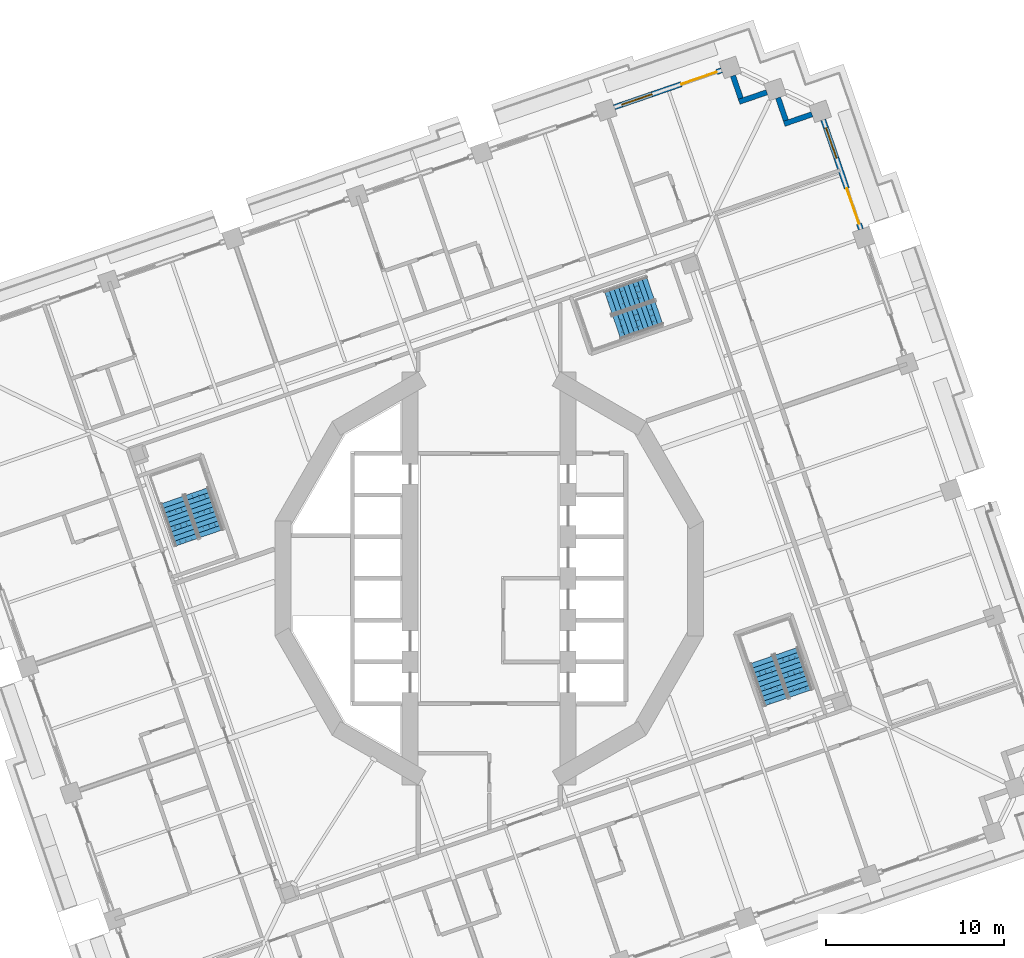
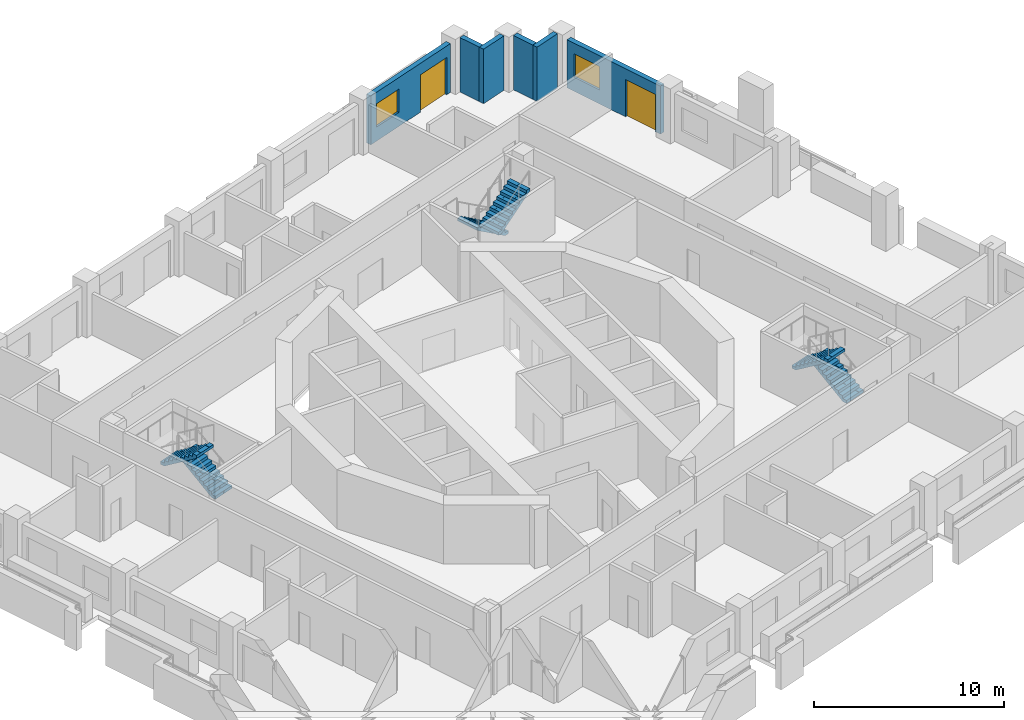
# One storey, part 10 of 19: 6 stair flights, 6 walls, 2 doors, 2 windows, 4 openings, 3 elements without a shape of their own.
"""IFC4 building model written with IfcOpenShell, lengths in metres."""

from ifc_helpers import new_model, si_unit, direction, frame, frame_2d, origin, place, context, subcontext, project, spatial, polyline, rectangle, outline, extrude, material, layer, layer_set, type_object, element, fill, aggregate, save


model = new_model("IFC4")

# Units and contexts
model_context = context("Model", 3, precision=1e-05, world=origin(), true_north=direction((0.0, 1.0)))
body_context = subcontext(model_context, "Body", "Model", "MODEL_VIEW")
ifc_project = project(units=[si_unit("LENGTHUNIT", "METRE"), si_unit("AREAUNIT", "SQUARE_METRE"), si_unit("VOLUMEUNIT", "CUBIC_METRE"), si_unit("PLANEANGLEUNIT", "RADIAN"), si_unit("MASSUNIT", "GRAM", prefix="KILO")], contexts=[model_context])

# Site, building, storey
site_placement = place(None, origin())
site = spatial("IfcSite", under=ifc_project, at=site_placement, CompositionType="ELEMENT")
building_placement = place(site_placement, origin())
building = spatial("IfcBuilding", under=site, at=building_placement, Name="Cantera Rosa Tower", CompositionType="ELEMENT")
storey_placement = place(building_placement, frame((0.0, 0.0, 111.699951171875)))
storey = spatial("IfcBuildingStorey", under=building, at=storey_placement, Name="L22", CompositionType="ELEMENT", Elevation=111.699951171875)

# Walls
ifc_material_1 = material(Name="Hollow clay masonry with cantera stone cladding", Category="masonry")
ifc_layer_1 = layer(ifc_material_1, 0.300048828125)
ifc_layer_set_1 = layer_set([ifc_layer_1], Name="EW-LOGGIA 300")
wall_type_1 = type_object("IfcWallType", Name="EW-LOGGIA 300", PredefinedType="SOLIDWALL", material=ifc_layer_set_1)
wall_1_placement = place(storey_placement, frame((18.17919921875, 26.142822265625, 0.0), z_axis=(0.0, 0.0, 1.0), x_axis=(-0.945530119553, -0.32553462645, 0.0)))
element("IfcWall", 1, at=wall_1_placement, inside=storey, type_object=wall_type_1, Name="EN-L22-W06a", PredefinedType="SOLIDWALL", context=body_context, shape_type="SweptSolid", body=[
    extrude(rectangle(XDim=1.64990234375, YDim=0.300048828125, at=frame_2d((0.824951171875, 0.0))), origin(), (0.0, 0.0, 1.0), 3.5),
])
wall_2_placement = place(storey_placement, frame((16.7119140625, 25.79638671875, 0.0), z_axis=(0.0, 0.0, 1.0), x_axis=(-0.325544748006, 0.945526634763, 0.0)))
element("IfcWall", 2, at=wall_2_placement, inside=storey, type_object=wall_type_1, Name="EN-L22-W06b", PredefinedType="SOLIDWALL", context=body_context, shape_type="SweptSolid", body=[
    extrude(rectangle(XDim=1.349853515625, YDim=0.300048828125, at=frame_2d((0.6748046875, 0.0))), origin(), (0.0, 0.0, 1.0), 3.5),
])
wall_3_placement = place(storey_placement, frame((15.636962890625, 27.3828125, 0.0), z_axis=(0.0, 0.0, 1.0), x_axis=(-0.945484566827, -0.325666906351, 0.0)))
element("IfcWall", 3, at=wall_3_placement, inside=storey, type_object=wall_type_1, Name="EN-L22-W07a", PredefinedType="SOLIDWALL", context=body_context, shape_type="SweptSolid", body=[
    extrude(rectangle(XDim=1.64990234375, YDim=0.300048828125, at=frame_2d((0.824951171875, 0.0))), origin(), (0.0, 0.0, 1.0), 3.5),
])
wall_4_placement = place(storey_placement, frame((14.169921875, 27.0361328125, 0.0), z_axis=(0.0, 0.0, 1.0), x_axis=(-0.325650742363, 0.945490134268, 0.0)))
element("IfcWall", 4, at=wall_4_placement, inside=storey, type_object=wall_type_1, Name="EN-L22-W07b", PredefinedType="SOLIDWALL", context=body_context, shape_type="SweptSolid", body=[
    extrude(rectangle(XDim=1.35009765625, YDim=0.300048828125, at=frame_2d((0.675048828125, 0.0))), origin(), (0.0, 0.0, 1.0), 3.5),
])

# Wall, openings, window, door
ifc_material_2 = material(Name="Hollow clay masonry with cantera stone cladding", Category="masonry")
ifc_layer_2 = layer(ifc_material_2, 0.300048828125)
ifc_layer_set_2 = layer_set([ifc_layer_2], Name="EW-LOGGIA 300 H3090")
wall_type_2 = type_object("IfcWallType", Name="EW-LOGGIA 300 H3090", PredefinedType="SOLIDWALL", material=ifc_layer_set_2)
wall_5_placement = place(storey_placement, frame((20.9375, 19.668212890625, 0.0), z_axis=(0.0, 0.0, 1.0), x_axis=(-0.325592517631, 0.945510186335, 0.0)))
wall_5 = element("IfcWall", 5, at=wall_5_placement, inside=storey, type_object=wall_type_2, Name="EN-L22-W05", PredefinedType="SOLIDWALL", context=body_context, shape_type="SweptSolid", body=[
    extrude(rectangle(XDim=6.519775390625, YDim=0.300048828125, at=frame_2d((3.259765625, 0.0))), origin(), (0.0, 0.0, 1.0), 3.090087890625),
])
opening_1_placement = place(wall_5_placement, frame((0.330078125, 0.0, 0.0)))
opening_1 = element("IfcOpeningElement", 6, at=opening_1_placement, cuts=wall_5, Name="Opening L22-TD05", PredefinedType="OPENING", context=body_context, shape_type="SweptSolid", body=[
    extrude(rectangle(XDim=2.10009765625, YDim=2.39990234375, at=frame_2d((1.050048828125, 1.199951171875))), frame((0.0, 0.159912109375, 0.0), z_axis=(0.0, -1.0, 0.0), x_axis=(1.0, 0.0, 0.0)), (0.0, 0.0, 1.0), 0.320068359375),
])
opening_2_placement = place(wall_5_placement, frame((4.239990234375, 0.0, 0.89990234375)))
opening_2 = element("IfcOpeningElement", 7, at=opening_2_placement, cuts=wall_5, Name="Opening L22-W06", PredefinedType="OPENING", context=body_context, shape_type="SweptSolid", body=[
    extrude(rectangle(XDim=1.800048828125, YDim=1.5, at=frame_2d((0.89990234375, 0.75))), frame((0.0, 0.159912109375, 0.0), z_axis=(0.0, -1.0, 0.0), x_axis=(1.0, 0.0, 0.0)), (0.0, 0.0, 1.0), 0.320068359375),
])
ifc_material_3 = material(Name="Aluminium frame with clear glass", Category="aluminium")
window_type = type_object("IfcWindowType", Name="Hotel room window 1800x1500", PartitioningType="DOUBLE_PANEL_VERTICAL", PredefinedType="WINDOW", material=ifc_material_3)
window_1_placement = place(opening_2_placement, origin())
window_1 = element("IfcWindow", 8, at=window_1_placement, inside=storey, type_object=window_type, Name="WINDOW L22-W06", OverallHeight=1.5, OverallWidth=1.800048828125, PartitioningType="SINGLE_PANEL", PredefinedType="WINDOW", context=body_context, shape_type="SweptSolid", body=[
    extrude(rectangle(XDim=1.800048828125, YDim=1.5, at=frame_2d((0.89990234375, 0.75))), frame((0.0, 0.030029296875, 0.0), z_axis=(0.0, -1.0, 0.0), x_axis=(1.0, 0.0, 0.0)), (0.0, 0.0, 1.0), 0.06005859375),
])
fill(opening_2, window_1)
ifc_material_4 = material(Name="Aluminium frame with clear glass", Category="aluminium")
door_type = type_object("IfcDoorType", Name="TD-H 2100x2400", OperationType="NOTDEFINED", PredefinedType="DOOR", material=ifc_material_4)
door_1_placement = place(opening_1_placement, origin())
door_1 = element("IfcDoor", 9, at=door_1_placement, inside=storey, type_object=door_type, Name="LOGGIA DOOR L22-TD05", OperationType="SLIDING_TO_LEFT", OverallHeight=2.39990234375, OverallWidth=2.10009765625, PredefinedType="DOOR", context=body_context, shape_type="SweptSolid", body=[
    extrude(rectangle(XDim=2.10009765625, YDim=2.39990234375, at=frame_2d((1.050048828125, 1.199951171875))), frame((0.0, 0.02490234375, 0.0), z_axis=(0.0, -1.0, 0.0), x_axis=(1.0, 0.0, 0.0)), (0.0, 0.0, 1.0), 0.050048828125),
])
fill(opening_1, door_1)

ifc_material_5 = material(Name="Hollow clay masonry with cantera stone cladding", Category="masonry")
ifc_layer_3 = layer(ifc_material_5, 0.300048828125)
ifc_layer_set_3 = layer_set([ifc_layer_3], Name="EW-LOGGIA 300 H3140")
wall_type_3 = type_object("IfcWallType", Name="EW-LOGGIA 300 H3140", PredefinedType="SOLIDWALL", material=ifc_layer_set_3)
wall_6_placement = place(storey_placement, frame((13.0947265625, 28.62255859375, 0.0), z_axis=(0.0, 0.0, 1.0), x_axis=(-0.945524496524, -0.325550958337, 0.0)))
wall_6 = element("IfcWall", 10, at=wall_6_placement, inside=storey, type_object=wall_type_3, Name="EN-L22-W08", PredefinedType="SOLIDWALL", context=body_context, shape_type="SweptSolid", body=[
    extrude(rectangle(XDim=6.39990234375, YDim=0.300048828125, at=frame_2d((3.199951171875, 0.0))), origin(), (0.0, 0.0, 1.0), 3.14013671875),
])
opening_3_placement = place(wall_6_placement, frame((0.300048828125, 0.0, 0.0)))
opening_3 = element("IfcOpeningElement", 11, at=opening_3_placement, cuts=wall_6, Name="Opening L22-TD07", PredefinedType="OPENING", context=body_context, shape_type="SweptSolid", body=[
    extrude(rectangle(XDim=2.10009765625, YDim=2.39990234375, at=frame_2d((1.050048828125, 1.199951171875))), frame((0.0, 0.159912109375, 0.0), z_axis=(0.0, -1.0, 0.0), x_axis=(1.0, 0.0, 0.0)), (0.0, 0.0, 1.0), 0.320068359375),
])
opening_4_placement = place(wall_6_placement, frame((4.14990234375, 0.0, 0.89990234375)))
opening_4 = element("IfcOpeningElement", 12, at=opening_4_placement, cuts=wall_6, Name="Opening L22-W08", PredefinedType="OPENING", context=body_context, shape_type="SweptSolid", body=[
    extrude(rectangle(XDim=1.800048828125, YDim=1.5, at=frame_2d((0.89990234375, 0.75))), frame((0.0, 0.159912109375, 0.0), z_axis=(0.0, -1.0, 0.0), x_axis=(1.0, 0.0, 0.0)), (0.0, 0.0, 1.0), 0.320068359375),
])
window_2_placement = place(opening_4_placement, origin())
window_2 = element("IfcWindow", 13, at=window_2_placement, inside=storey, type_object=window_type, Name="WINDOW L22-W08", OverallHeight=1.5, OverallWidth=1.800048828125, PartitioningType="SINGLE_PANEL", PredefinedType="WINDOW", context=body_context, shape_type="SweptSolid", body=[
    extrude(rectangle(XDim=1.800048828125, YDim=1.5, at=frame_2d((0.89990234375, 0.75))), frame((0.0, 0.030029296875, 0.0), z_axis=(0.0, -1.0, 0.0), x_axis=(1.0, 0.0, 0.0)), (0.0, 0.0, 1.0), 0.06005859375),
])
fill(opening_4, window_2)
door_2_placement = place(opening_3_placement, origin())
door_2 = element("IfcDoor", 14, at=door_2_placement, inside=storey, type_object=door_type, Name="LOGGIA DOOR L22-TD07", OperationType="SLIDING_TO_LEFT", OverallHeight=2.39990234375, OverallWidth=2.10009765625, PredefinedType="DOOR", context=body_context, shape_type="SweptSolid", body=[
    extrude(rectangle(XDim=2.10009765625, YDim=2.39990234375, at=frame_2d((1.050048828125, 1.199951171875))), frame((0.0, 0.02490234375, 0.0), z_axis=(0.0, -1.0, 0.0), x_axis=(1.0, 0.0, 0.0)), (0.0, 0.0, 1.0), 0.050048828125),
])
fill(opening_3, door_2)

# Stair, stair flights
ifc_material_6 = material(Name="Concrete C35/45", Category="concrete")
stair_type = type_object("IfcStairType", Name="EXIT STAIR 1350 DOGLEG", PredefinedType="HALF_TURN_STAIR", material=ifc_material_6)
stair_1_placement = place(storey_placement, origin())
stair_1 = element("IfcStair", 15, at=stair_1_placement, inside=storey, type_object=stair_type, Name="L22 ST-21", PredefinedType="HALF_TURN_STAIR")
ifc_material_7 = material(Name="Concrete C35/45", Category="concrete")
stair_flight_type = type_object("IfcStairFlightType", Name="STAIR FLIGHT 1350 R20x190", PredefinedType="STRAIGHT", material=ifc_material_7)
stair_flight_1_placement = place(storey_placement, frame((9.07958984375, 16.364990234375, 0.0), z_axis=(0.0, 0.0, 1.0), x_axis=(-0.945518575599, -0.325568154457, 0.0)))
stair_flight_1 = element("IfcStairFlight", 16, at=stair_flight_1_placement, type_object=stair_flight_type, Name="ST-21 flight 1", NumberOfRisers=10, NumberOfTreads=9, PredefinedType="STRAIGHT", RiserHeight=0.19, TreadLength=0.28, context=body_context, shape_type="SweptSolid", body=[
    extrude(outline(polyline([(0.0, 0.0), (0.0, 0.18994140625), (0.280029296875, 0.18994140625), (0.280029296875, 0.3798828125), (0.56005859375, 0.3798828125), (0.56005859375, 0.570068359375), (0.840087890625, 0.570068359375), (0.840087890625, 0.760009765625), (1.1201171875, 0.760009765625), (1.1201171875, 0.949951171875), (1.39990234375, 0.949951171875), (1.39990234375, 1.139892578125), (1.679931640625, 1.139892578125), (1.679931640625, 1.330078125), (1.9599609375, 1.330078125), (1.9599609375, 1.52001953125), (2.239990234375, 1.52001953125), (2.239990234375, 1.7099609375), (2.52001953125, 1.7099609375), (2.52001953125, 1.89990234375), (2.52001953125, 1.52880859375), (0.266845703125, 0.0), (0.0, 0.0)])), frame((0.0, 0.675048828125, 0.0), z_axis=(0.0, -1.0, 0.0), x_axis=(1.0, 0.0, 0.0)), (0.0, 0.0, 1.0), 0.3359375),
    extrude(outline(polyline([(0.0, 0.0), (0.0, 0.18994140625), (0.280029296875, 0.18994140625), (0.280029296875, 0.3798828125), (0.56005859375, 0.3798828125), (0.56005859375, 0.570068359375), (0.840087890625, 0.570068359375), (0.840087890625, 0.760009765625), (1.1201171875, 0.760009765625), (1.1201171875, 0.949951171875), (1.39990234375, 0.949951171875), (1.39990234375, 1.139892578125), (1.679931640625, 1.139892578125), (1.679931640625, 1.330078125), (1.9599609375, 1.330078125), (1.9599609375, 1.52001953125), (2.239990234375, 1.52001953125), (2.239990234375, 1.7099609375), (2.52001953125, 1.7099609375), (2.52001953125, 1.89990234375), (2.52001953125, 1.52880859375), (0.266845703125, 0.0), (0.0, 0.0)])), frame((0.0, 0.337158203125, 0.0), z_axis=(0.0, -1.0, 0.0), x_axis=(1.0, 0.0, 0.0)), (0.0, 0.0, 1.0), 0.3359375),
    extrude(outline(polyline([(0.0, 0.0), (0.0, 0.18994140625), (0.280029296875, 0.18994140625), (0.280029296875, 0.3798828125), (0.56005859375, 0.3798828125), (0.56005859375, 0.570068359375), (0.840087890625, 0.570068359375), (0.840087890625, 0.760009765625), (1.1201171875, 0.760009765625), (1.1201171875, 0.949951171875), (1.39990234375, 0.949951171875), (1.39990234375, 1.139892578125), (1.679931640625, 1.139892578125), (1.679931640625, 1.330078125), (1.9599609375, 1.330078125), (1.9599609375, 1.52001953125), (2.239990234375, 1.52001953125), (2.239990234375, 1.7099609375), (2.52001953125, 1.7099609375), (2.52001953125, 1.89990234375), (2.52001953125, 1.52880859375), (0.266845703125, 0.0), (0.0, 0.0)])), frame((0.0, -0.000732421875, 0.0), z_axis=(0.0, -1.0, 0.0), x_axis=(1.0, 0.0, 0.0)), (0.0, 0.0, 1.0), 0.3359375),
    extrude(outline(polyline([(0.0, 0.0), (0.0, 0.18994140625), (0.280029296875, 0.18994140625), (0.280029296875, 0.3798828125), (0.56005859375, 0.3798828125), (0.56005859375, 0.570068359375), (0.840087890625, 0.570068359375), (0.840087890625, 0.760009765625), (1.1201171875, 0.760009765625), (1.1201171875, 0.949951171875), (1.39990234375, 0.949951171875), (1.39990234375, 1.139892578125), (1.679931640625, 1.139892578125), (1.679931640625, 1.330078125), (1.9599609375, 1.330078125), (1.9599609375, 1.52001953125), (2.239990234375, 1.52001953125), (2.239990234375, 1.7099609375), (2.52001953125, 1.7099609375), (2.52001953125, 1.89990234375), (2.52001953125, 1.52880859375), (0.266845703125, 0.0), (0.0, 0.0)])), frame((0.0, -0.338623046875, 0.0), z_axis=(0.0, -1.0, 0.0), x_axis=(1.0, 0.0, 0.0)), (0.0, 0.0, 1.0), 0.3359375),
])
stair_flight_2_placement = place(storey_placement, frame((7.185302734375, 14.126220703125, 1.900146484375), z_axis=(0.0, 0.0, 1.0), x_axis=(0.945518575599, 0.325568154457, 0.0)))
stair_flight_2 = element("IfcStairFlight", 17, at=stair_flight_2_placement, type_object=stair_flight_type, Name="ST-21 flight 2", NumberOfRisers=10, NumberOfTreads=9, PredefinedType="STRAIGHT", RiserHeight=0.19, TreadLength=0.28, context=body_context, shape_type="SweptSolid", body=[
    extrude(outline(polyline([(0.0, 0.0), (0.0, 0.18994140625), (0.280029296875, 0.18994140625), (0.280029296875, 0.3798828125), (0.56005859375, 0.3798828125), (0.56005859375, 0.570068359375), (0.840087890625, 0.570068359375), (0.840087890625, 0.760009765625), (1.1201171875, 0.760009765625), (1.1201171875, 0.949951171875), (1.39990234375, 0.949951171875), (1.39990234375, 1.139892578125), (1.679931640625, 1.139892578125), (1.679931640625, 1.330078125), (1.9599609375, 1.330078125), (1.9599609375, 1.52001953125), (2.239990234375, 1.52001953125), (2.239990234375, 1.7099609375), (2.52001953125, 1.7099609375), (2.52001953125, 1.89990234375), (2.52001953125, 1.52880859375), (0.266845703125, 0.0), (0.0, 0.0)])), frame((0.0, 0.675048828125, 0.0), z_axis=(0.0, -1.0, 0.0), x_axis=(1.0, 0.0, 0.0)), (0.0, 0.0, 1.0), 0.3359375),
    extrude(outline(polyline([(0.0, 0.0), (0.0, 0.18994140625), (0.280029296875, 0.18994140625), (0.280029296875, 0.3798828125), (0.56005859375, 0.3798828125), (0.56005859375, 0.570068359375), (0.840087890625, 0.570068359375), (0.840087890625, 0.760009765625), (1.1201171875, 0.760009765625), (1.1201171875, 0.949951171875), (1.39990234375, 0.949951171875), (1.39990234375, 1.139892578125), (1.679931640625, 1.139892578125), (1.679931640625, 1.330078125), (1.9599609375, 1.330078125), (1.9599609375, 1.52001953125), (2.239990234375, 1.52001953125), (2.239990234375, 1.7099609375), (2.52001953125, 1.7099609375), (2.52001953125, 1.89990234375), (2.52001953125, 1.52880859375), (0.266845703125, 0.0), (0.0, 0.0)])), frame((0.0, 0.337158203125, 0.0), z_axis=(0.0, -1.0, 0.0), x_axis=(1.0, 0.0, 0.0)), (0.0, 0.0, 1.0), 0.3359375),
    extrude(outline(polyline([(0.0, 0.0), (0.0, 0.18994140625), (0.280029296875, 0.18994140625), (0.280029296875, 0.3798828125), (0.56005859375, 0.3798828125), (0.56005859375, 0.570068359375), (0.840087890625, 0.570068359375), (0.840087890625, 0.760009765625), (1.1201171875, 0.760009765625), (1.1201171875, 0.949951171875), (1.39990234375, 0.949951171875), (1.39990234375, 1.139892578125), (1.679931640625, 1.139892578125), (1.679931640625, 1.330078125), (1.9599609375, 1.330078125), (1.9599609375, 1.52001953125), (2.239990234375, 1.52001953125), (2.239990234375, 1.7099609375), (2.52001953125, 1.7099609375), (2.52001953125, 1.89990234375), (2.52001953125, 1.52880859375), (0.266845703125, 0.0), (0.0, 0.0)])), frame((0.0, -0.000732421875, 0.0), z_axis=(0.0, -1.0, 0.0), x_axis=(1.0, 0.0, 0.0)), (0.0, 0.0, 1.0), 0.3359375),
    extrude(outline(polyline([(0.0, 0.0), (0.0, 0.18994140625), (0.280029296875, 0.18994140625), (0.280029296875, 0.3798828125), (0.56005859375, 0.3798828125), (0.56005859375, 0.570068359375), (0.840087890625, 0.570068359375), (0.840087890625, 0.760009765625), (1.1201171875, 0.760009765625), (1.1201171875, 0.949951171875), (1.39990234375, 0.949951171875), (1.39990234375, 1.139892578125), (1.679931640625, 1.139892578125), (1.679931640625, 1.330078125), (1.9599609375, 1.330078125), (1.9599609375, 1.52001953125), (2.239990234375, 1.52001953125), (2.239990234375, 1.7099609375), (2.52001953125, 1.7099609375), (2.52001953125, 1.89990234375), (2.52001953125, 1.52880859375), (0.266845703125, 0.0), (0.0, 0.0)])), frame((0.0, -0.338623046875, 0.0), z_axis=(0.0, -1.0, 0.0), x_axis=(1.0, 0.0, 0.0)), (0.0, 0.0, 1.0), 0.3359375),
])
aggregate(stair_1, [stair_flight_1, stair_flight_2])

stair_2_placement = place(storey_placement, origin())
stair_2 = element("IfcStair", 18, at=stair_2_placement, inside=storey, type_object=stair_type, Name="L22 ST-22", PredefinedType="HALF_TURN_STAIR")
stair_flight_3_placement = place(storey_placement, frame((-15.635009765625, 2.5205078125, 0.0), z_axis=(0.0, 0.0, 1.0), x_axis=(-0.325568154457, 0.945518575599, 0.0)))
stair_flight_3 = element("IfcStairFlight", 19, at=stair_flight_3_placement, type_object=stair_flight_type, Name="ST-22 flight 1", NumberOfRisers=10, NumberOfTreads=9, PredefinedType="STRAIGHT", RiserHeight=0.19, TreadLength=0.28, context=body_context, shape_type="SweptSolid", body=[
    extrude(outline(polyline([(0.0, 0.0), (0.0, 0.18994140625), (0.280029296875, 0.18994140625), (0.280029296875, 0.3798828125), (0.56005859375, 0.3798828125), (0.56005859375, 0.570068359375), (0.840087890625, 0.570068359375), (0.840087890625, 0.760009765625), (1.1201171875, 0.760009765625), (1.1201171875, 0.949951171875), (1.39990234375, 0.949951171875), (1.39990234375, 1.139892578125), (1.679931640625, 1.139892578125), (1.679931640625, 1.330078125), (1.9599609375, 1.330078125), (1.9599609375, 1.52001953125), (2.239990234375, 1.52001953125), (2.239990234375, 1.7099609375), (2.52001953125, 1.7099609375), (2.52001953125, 1.89990234375), (2.52001953125, 1.52880859375), (0.266845703125, 0.0), (0.0, 0.0)])), frame((0.0, 0.675048828125, 0.0), z_axis=(0.0, -1.0, 0.0), x_axis=(1.0, 0.0, 0.0)), (0.0, 0.0, 1.0), 0.3359375),
    extrude(outline(polyline([(0.0, 0.0), (0.0, 0.18994140625), (0.280029296875, 0.18994140625), (0.280029296875, 0.3798828125), (0.56005859375, 0.3798828125), (0.56005859375, 0.570068359375), (0.840087890625, 0.570068359375), (0.840087890625, 0.760009765625), (1.1201171875, 0.760009765625), (1.1201171875, 0.949951171875), (1.39990234375, 0.949951171875), (1.39990234375, 1.139892578125), (1.679931640625, 1.139892578125), (1.679931640625, 1.330078125), (1.9599609375, 1.330078125), (1.9599609375, 1.52001953125), (2.239990234375, 1.52001953125), (2.239990234375, 1.7099609375), (2.52001953125, 1.7099609375), (2.52001953125, 1.89990234375), (2.52001953125, 1.52880859375), (0.266845703125, 0.0), (0.0, 0.0)])), frame((0.0, 0.337158203125, 0.0), z_axis=(0.0, -1.0, 0.0), x_axis=(1.0, 0.0, 0.0)), (0.0, 0.0, 1.0), 0.3359375),
    extrude(outline(polyline([(0.0, 0.0), (0.0, 0.18994140625), (0.280029296875, 0.18994140625), (0.280029296875, 0.3798828125), (0.56005859375, 0.3798828125), (0.56005859375, 0.570068359375), (0.840087890625, 0.570068359375), (0.840087890625, 0.760009765625), (1.1201171875, 0.760009765625), (1.1201171875, 0.949951171875), (1.39990234375, 0.949951171875), (1.39990234375, 1.139892578125), (1.679931640625, 1.139892578125), (1.679931640625, 1.330078125), (1.9599609375, 1.330078125), (1.9599609375, 1.52001953125), (2.239990234375, 1.52001953125), (2.239990234375, 1.7099609375), (2.52001953125, 1.7099609375), (2.52001953125, 1.89990234375), (2.52001953125, 1.52880859375), (0.266845703125, 0.0), (0.0, 0.0)])), frame((0.0, -0.000732421875, 0.0), z_axis=(0.0, -1.0, 0.0), x_axis=(1.0, 0.0, 0.0)), (0.0, 0.0, 1.0), 0.3359375),
    extrude(outline(polyline([(0.0, 0.0), (0.0, 0.18994140625), (0.280029296875, 0.18994140625), (0.280029296875, 0.3798828125), (0.56005859375, 0.3798828125), (0.56005859375, 0.570068359375), (0.840087890625, 0.570068359375), (0.840087890625, 0.760009765625), (1.1201171875, 0.760009765625), (1.1201171875, 0.949951171875), (1.39990234375, 0.949951171875), (1.39990234375, 1.139892578125), (1.679931640625, 1.139892578125), (1.679931640625, 1.330078125), (1.9599609375, 1.330078125), (1.9599609375, 1.52001953125), (2.239990234375, 1.52001953125), (2.239990234375, 1.7099609375), (2.52001953125, 1.7099609375), (2.52001953125, 1.89990234375), (2.52001953125, 1.52880859375), (0.266845703125, 0.0), (0.0, 0.0)])), frame((0.0, -0.338623046875, 0.0), z_axis=(0.0, -1.0, 0.0), x_axis=(1.0, 0.0, 0.0)), (0.0, 0.0, 1.0), 0.3359375),
])
stair_flight_4_placement = place(storey_placement, frame((-17.873779296875, 4.414794921875, 1.900146484375), z_axis=(0.0, 0.0, 1.0), x_axis=(0.325568154457, -0.945518575599, 0.0)))
stair_flight_4 = element("IfcStairFlight", 20, at=stair_flight_4_placement, type_object=stair_flight_type, Name="ST-22 flight 2", NumberOfRisers=10, NumberOfTreads=9, PredefinedType="STRAIGHT", RiserHeight=0.19, TreadLength=0.28, context=body_context, shape_type="SweptSolid", body=[
    extrude(outline(polyline([(0.0, 0.0), (0.0, 0.18994140625), (0.280029296875, 0.18994140625), (0.280029296875, 0.3798828125), (0.56005859375, 0.3798828125), (0.56005859375, 0.570068359375), (0.840087890625, 0.570068359375), (0.840087890625, 0.760009765625), (1.1201171875, 0.760009765625), (1.1201171875, 0.949951171875), (1.39990234375, 0.949951171875), (1.39990234375, 1.139892578125), (1.679931640625, 1.139892578125), (1.679931640625, 1.330078125), (1.9599609375, 1.330078125), (1.9599609375, 1.52001953125), (2.239990234375, 1.52001953125), (2.239990234375, 1.7099609375), (2.52001953125, 1.7099609375), (2.52001953125, 1.89990234375), (2.52001953125, 1.52880859375), (0.266845703125, 0.0), (0.0, 0.0)])), frame((0.0, 0.675048828125, 0.0), z_axis=(0.0, -1.0, 0.0), x_axis=(1.0, 0.0, 0.0)), (0.0, 0.0, 1.0), 0.3359375),
    extrude(outline(polyline([(0.0, 0.0), (0.0, 0.18994140625), (0.280029296875, 0.18994140625), (0.280029296875, 0.3798828125), (0.56005859375, 0.3798828125), (0.56005859375, 0.570068359375), (0.840087890625, 0.570068359375), (0.840087890625, 0.760009765625), (1.1201171875, 0.760009765625), (1.1201171875, 0.949951171875), (1.39990234375, 0.949951171875), (1.39990234375, 1.139892578125), (1.679931640625, 1.139892578125), (1.679931640625, 1.330078125), (1.9599609375, 1.330078125), (1.9599609375, 1.52001953125), (2.239990234375, 1.52001953125), (2.239990234375, 1.7099609375), (2.52001953125, 1.7099609375), (2.52001953125, 1.89990234375), (2.52001953125, 1.52880859375), (0.266845703125, 0.0), (0.0, 0.0)])), frame((0.0, 0.337158203125, 0.0), z_axis=(0.0, -1.0, 0.0), x_axis=(1.0, 0.0, 0.0)), (0.0, 0.0, 1.0), 0.3359375),
    extrude(outline(polyline([(0.0, 0.0), (0.0, 0.18994140625), (0.280029296875, 0.18994140625), (0.280029296875, 0.3798828125), (0.56005859375, 0.3798828125), (0.56005859375, 0.570068359375), (0.840087890625, 0.570068359375), (0.840087890625, 0.760009765625), (1.1201171875, 0.760009765625), (1.1201171875, 0.949951171875), (1.39990234375, 0.949951171875), (1.39990234375, 1.139892578125), (1.679931640625, 1.139892578125), (1.679931640625, 1.330078125), (1.9599609375, 1.330078125), (1.9599609375, 1.52001953125), (2.239990234375, 1.52001953125), (2.239990234375, 1.7099609375), (2.52001953125, 1.7099609375), (2.52001953125, 1.89990234375), (2.52001953125, 1.52880859375), (0.266845703125, 0.0), (0.0, 0.0)])), frame((0.0, -0.000732421875, 0.0), z_axis=(0.0, -1.0, 0.0), x_axis=(1.0, 0.0, 0.0)), (0.0, 0.0, 1.0), 0.3359375),
    extrude(outline(polyline([(0.0, 0.0), (0.0, 0.18994140625), (0.280029296875, 0.18994140625), (0.280029296875, 0.3798828125), (0.56005859375, 0.3798828125), (0.56005859375, 0.570068359375), (0.840087890625, 0.570068359375), (0.840087890625, 0.760009765625), (1.1201171875, 0.760009765625), (1.1201171875, 0.949951171875), (1.39990234375, 0.949951171875), (1.39990234375, 1.139892578125), (1.679931640625, 1.139892578125), (1.679931640625, 1.330078125), (1.9599609375, 1.330078125), (1.9599609375, 1.52001953125), (2.239990234375, 1.52001953125), (2.239990234375, 1.7099609375), (2.52001953125, 1.7099609375), (2.52001953125, 1.89990234375), (2.52001953125, 1.52880859375), (0.266845703125, 0.0), (0.0, 0.0)])), frame((0.0, -0.338623046875, 0.0), z_axis=(0.0, -1.0, 0.0), x_axis=(1.0, 0.0, 0.0)), (0.0, 0.0, 1.0), 0.3359375),
])
aggregate(stair_2, [stair_flight_3, stair_flight_4])

stair_3_placement = place(storey_placement, origin())
stair_3 = element("IfcStair", 21, at=stair_3_placement, inside=storey, type_object=stair_type, Name="L22 ST-23", PredefinedType="HALF_TURN_STAIR")
stair_flight_5_placement = place(storey_placement, frame((17.56494140625, -6.4794921875, 0.0), z_axis=(0.0, 0.0, 1.0), x_axis=(-0.325568154457, 0.945518575599, 0.0)))
stair_flight_5 = element("IfcStairFlight", 22, at=stair_flight_5_placement, type_object=stair_flight_type, Name="ST-23 flight 1", NumberOfRisers=10, NumberOfTreads=9, PredefinedType="STRAIGHT", RiserHeight=0.19, TreadLength=0.28, context=body_context, shape_type="SweptSolid", body=[
    extrude(outline(polyline([(0.0, 0.0), (0.0, 0.18994140625), (0.280029296875, 0.18994140625), (0.280029296875, 0.3798828125), (0.56005859375, 0.3798828125), (0.56005859375, 0.570068359375), (0.840087890625, 0.570068359375), (0.840087890625, 0.760009765625), (1.1201171875, 0.760009765625), (1.1201171875, 0.949951171875), (1.39990234375, 0.949951171875), (1.39990234375, 1.139892578125), (1.679931640625, 1.139892578125), (1.679931640625, 1.330078125), (1.9599609375, 1.330078125), (1.9599609375, 1.52001953125), (2.239990234375, 1.52001953125), (2.239990234375, 1.7099609375), (2.52001953125, 1.7099609375), (2.52001953125, 1.89990234375), (2.52001953125, 1.52880859375), (0.266845703125, 0.0), (0.0, 0.0)])), frame((0.0, 0.675048828125, 0.0), z_axis=(0.0, -1.0, 0.0), x_axis=(1.0, 0.0, 0.0)), (0.0, 0.0, 1.0), 0.3359375),
    extrude(outline(polyline([(0.0, 0.0), (0.0, 0.18994140625), (0.280029296875, 0.18994140625), (0.280029296875, 0.3798828125), (0.56005859375, 0.3798828125), (0.56005859375, 0.570068359375), (0.840087890625, 0.570068359375), (0.840087890625, 0.760009765625), (1.1201171875, 0.760009765625), (1.1201171875, 0.949951171875), (1.39990234375, 0.949951171875), (1.39990234375, 1.139892578125), (1.679931640625, 1.139892578125), (1.679931640625, 1.330078125), (1.9599609375, 1.330078125), (1.9599609375, 1.52001953125), (2.239990234375, 1.52001953125), (2.239990234375, 1.7099609375), (2.52001953125, 1.7099609375), (2.52001953125, 1.89990234375), (2.52001953125, 1.52880859375), (0.266845703125, 0.0), (0.0, 0.0)])), frame((0.0, 0.337158203125, 0.0), z_axis=(0.0, -1.0, 0.0), x_axis=(1.0, 0.0, 0.0)), (0.0, 0.0, 1.0), 0.3359375),
    extrude(outline(polyline([(0.0, 0.0), (0.0, 0.18994140625), (0.280029296875, 0.18994140625), (0.280029296875, 0.3798828125), (0.56005859375, 0.3798828125), (0.56005859375, 0.570068359375), (0.840087890625, 0.570068359375), (0.840087890625, 0.760009765625), (1.1201171875, 0.760009765625), (1.1201171875, 0.949951171875), (1.39990234375, 0.949951171875), (1.39990234375, 1.139892578125), (1.679931640625, 1.139892578125), (1.679931640625, 1.330078125), (1.9599609375, 1.330078125), (1.9599609375, 1.52001953125), (2.239990234375, 1.52001953125), (2.239990234375, 1.7099609375), (2.52001953125, 1.7099609375), (2.52001953125, 1.89990234375), (2.52001953125, 1.52880859375), (0.266845703125, 0.0), (0.0, 0.0)])), frame((0.0, -0.000732421875, 0.0), z_axis=(0.0, -1.0, 0.0), x_axis=(1.0, 0.0, 0.0)), (0.0, 0.0, 1.0), 0.3359375),
    extrude(outline(polyline([(0.0, 0.0), (0.0, 0.18994140625), (0.280029296875, 0.18994140625), (0.280029296875, 0.3798828125), (0.56005859375, 0.3798828125), (0.56005859375, 0.570068359375), (0.840087890625, 0.570068359375), (0.840087890625, 0.760009765625), (1.1201171875, 0.760009765625), (1.1201171875, 0.949951171875), (1.39990234375, 0.949951171875), (1.39990234375, 1.139892578125), (1.679931640625, 1.139892578125), (1.679931640625, 1.330078125), (1.9599609375, 1.330078125), (1.9599609375, 1.52001953125), (2.239990234375, 1.52001953125), (2.239990234375, 1.7099609375), (2.52001953125, 1.7099609375), (2.52001953125, 1.89990234375), (2.52001953125, 1.52880859375), (0.266845703125, 0.0), (0.0, 0.0)])), frame((0.0, -0.338623046875, 0.0), z_axis=(0.0, -1.0, 0.0), x_axis=(1.0, 0.0, 0.0)), (0.0, 0.0, 1.0), 0.3359375),
])
stair_flight_6_placement = place(storey_placement, frame((15.326171875, -4.585205078125, 1.900146484375), z_axis=(0.0, 0.0, 1.0), x_axis=(0.325568154457, -0.945518575599, 0.0)))
stair_flight_6 = element("IfcStairFlight", 23, at=stair_flight_6_placement, type_object=stair_flight_type, Name="ST-23 flight 2", NumberOfRisers=10, NumberOfTreads=9, PredefinedType="STRAIGHT", RiserHeight=0.19, TreadLength=0.28, context=body_context, shape_type="SweptSolid", body=[
    extrude(outline(polyline([(0.0, 0.0), (0.0, 0.18994140625), (0.280029296875, 0.18994140625), (0.280029296875, 0.3798828125), (0.56005859375, 0.3798828125), (0.56005859375, 0.570068359375), (0.840087890625, 0.570068359375), (0.840087890625, 0.760009765625), (1.1201171875, 0.760009765625), (1.1201171875, 0.949951171875), (1.39990234375, 0.949951171875), (1.39990234375, 1.139892578125), (1.679931640625, 1.139892578125), (1.679931640625, 1.330078125), (1.9599609375, 1.330078125), (1.9599609375, 1.52001953125), (2.239990234375, 1.52001953125), (2.239990234375, 1.7099609375), (2.52001953125, 1.7099609375), (2.52001953125, 1.89990234375), (2.52001953125, 1.52880859375), (0.266845703125, 0.0), (0.0, 0.0)])), frame((0.0, 0.675048828125, 0.0), z_axis=(0.0, -1.0, 0.0), x_axis=(1.0, 0.0, 0.0)), (0.0, 0.0, 1.0), 0.3359375),
    extrude(outline(polyline([(0.0, 0.0), (0.0, 0.18994140625), (0.280029296875, 0.18994140625), (0.280029296875, 0.3798828125), (0.56005859375, 0.3798828125), (0.56005859375, 0.570068359375), (0.840087890625, 0.570068359375), (0.840087890625, 0.760009765625), (1.1201171875, 0.760009765625), (1.1201171875, 0.949951171875), (1.39990234375, 0.949951171875), (1.39990234375, 1.139892578125), (1.679931640625, 1.139892578125), (1.679931640625, 1.330078125), (1.9599609375, 1.330078125), (1.9599609375, 1.52001953125), (2.239990234375, 1.52001953125), (2.239990234375, 1.7099609375), (2.52001953125, 1.7099609375), (2.52001953125, 1.89990234375), (2.52001953125, 1.52880859375), (0.266845703125, 0.0), (0.0, 0.0)])), frame((0.0, 0.337158203125, 0.0), z_axis=(0.0, -1.0, 0.0), x_axis=(1.0, 0.0, 0.0)), (0.0, 0.0, 1.0), 0.3359375),
    extrude(outline(polyline([(0.0, 0.0), (0.0, 0.18994140625), (0.280029296875, 0.18994140625), (0.280029296875, 0.3798828125), (0.56005859375, 0.3798828125), (0.56005859375, 0.570068359375), (0.840087890625, 0.570068359375), (0.840087890625, 0.760009765625), (1.1201171875, 0.760009765625), (1.1201171875, 0.949951171875), (1.39990234375, 0.949951171875), (1.39990234375, 1.139892578125), (1.679931640625, 1.139892578125), (1.679931640625, 1.330078125), (1.9599609375, 1.330078125), (1.9599609375, 1.52001953125), (2.239990234375, 1.52001953125), (2.239990234375, 1.7099609375), (2.52001953125, 1.7099609375), (2.52001953125, 1.89990234375), (2.52001953125, 1.52880859375), (0.266845703125, 0.0), (0.0, 0.0)])), frame((0.0, -0.000732421875, 0.0), z_axis=(0.0, -1.0, 0.0), x_axis=(1.0, 0.0, 0.0)), (0.0, 0.0, 1.0), 0.3359375),
    extrude(outline(polyline([(0.0, 0.0), (0.0, 0.18994140625), (0.280029296875, 0.18994140625), (0.280029296875, 0.3798828125), (0.56005859375, 0.3798828125), (0.56005859375, 0.570068359375), (0.840087890625, 0.570068359375), (0.840087890625, 0.760009765625), (1.1201171875, 0.760009765625), (1.1201171875, 0.949951171875), (1.39990234375, 0.949951171875), (1.39990234375, 1.139892578125), (1.679931640625, 1.139892578125), (1.679931640625, 1.330078125), (1.9599609375, 1.330078125), (1.9599609375, 1.52001953125), (2.239990234375, 1.52001953125), (2.239990234375, 1.7099609375), (2.52001953125, 1.7099609375), (2.52001953125, 1.89990234375), (2.52001953125, 1.52880859375), (0.266845703125, 0.0), (0.0, 0.0)])), frame((0.0, -0.338623046875, 0.0), z_axis=(0.0, -1.0, 0.0), x_axis=(1.0, 0.0, 0.0)), (0.0, 0.0, 1.0), 0.3359375),
])
aggregate(stair_3, [stair_flight_5, stair_flight_6])

save(model, "model.ifc")
